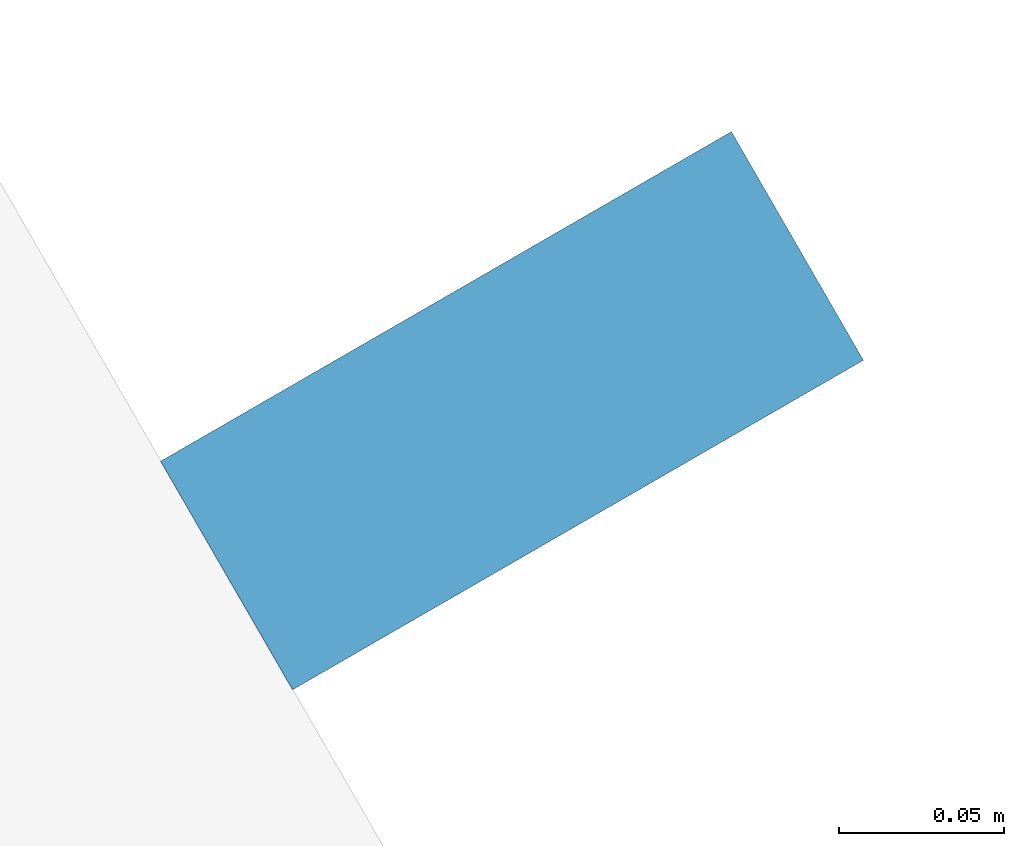
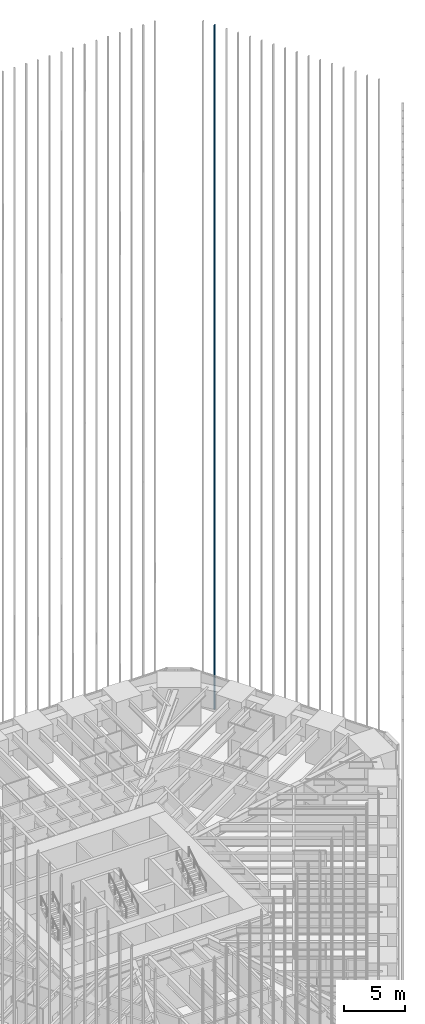
# One storey, part 243 of 256: 1 member, 1 element without a shape of its own.
"""IFC4 building model written with IfcOpenShell, lengths in metres."""

import ifcopenshell
import ifcopenshell.guid

model = None  # the IFC model being written
_history = None  # IfcOwnerHistory: only IFC2X3 demands one
_inside = {}  # id of a spatial element -> (the spatial element, [elements in it])
_under = {}  # id of a project, library or spatial element -> (it, [spatial elements below it])
_declared = {}  # id of a project -> (the project, [libraries it declares])
_typed = {}  # id of a type object -> (the type object, [elements of that type])
_made_of = {}  # id of a material, layer set ... -> (it, [elements and type objects made of it])


def new_model(schema):
    """Start an empty IFC model of exactly this schema.

    Asked for "IFC4X3", IfcOpenShell would pick the latest addendum, in which some entities
    have other attributes; the version numbers below select the first issue.
    IFC2X3 requires an IfcOwnerHistory on every rooted entity: one is made here for all.
    """
    global model, _history
    if schema == "IFC4X3":
        model = ifcopenshell.file(schema_version=(4, 3, 0, 0))
    else:
        model = ifcopenshell.file(schema=schema)
    _inside.clear()
    _under.clear()
    _declared.clear()
    _typed.clear()
    _made_of.clear()
    _history = None
    if model.schema == "IFC2X3":
        org = make("IfcOrganization", Name="unknown")
        user = make(
            "IfcPersonAndOrganization",
            ThePerson=make("IfcPerson", FamilyName="unknown"),
            TheOrganization=org,
        )
        app = make(
            "IfcApplication",
            ApplicationDeveloper=org,
            Version="unknown",
            ApplicationFullName="unknown",
            ApplicationIdentifier="unknown",
        )
        _history = make(
            "IfcOwnerHistory",
            OwningUser=user,
            OwningApplication=app,
            ChangeAction="ADDED",
            CreationDate=0,
        )
    return model


def make(cls, **values):
    """One entity of the class cls with the attributes given. An attribute that is None is left unset."""
    return model.create_entity(
        cls, **{name: value for name, value in values.items() if value is not None}
    )


def rooted(cls, **values):
    """An entity with a GlobalId (a new one), such as an element, a storey or a relation."""
    return make(cls, GlobalId=ifcopenshell.guid.new(), OwnerHistory=_history, **values)


def si_unit(unit_type, name, prefix=None):
    """IfcSIUnit, for example si_unit("LENGTHUNIT", "METRE", prefix="MILLI")."""
    return make("IfcSIUnit", UnitType=unit_type, Prefix=prefix, Name=name)


def assignment(units):
    """IfcUnitAssignment: the units of a project."""
    return None if units is None else make("IfcUnitAssignment", Units=units)


def point(xyz):
    """IfcCartesianPoint."""
    return None if xyz is None else make("IfcCartesianPoint", Coordinates=xyz)


def direction(xyz):
    """IfcDirection."""
    return None if xyz is None else make("IfcDirection", DirectionRatios=xyz)


def frame(location, z_axis=None, x_axis=None):
    """IfcAxis2Placement3D, a coordinate frame: its origin and axes. An axis left out is left unset."""
    return make(
        "IfcAxis2Placement3D",
        Location=point(location),
        Axis=direction(z_axis),
        RefDirection=direction(x_axis),
    )


def frame_2d(location, x_axis=None):
    """IfcAxis2Placement2D, a coordinate frame in the plane: its origin and x axis."""
    return make(
        "IfcAxis2Placement2D", Location=point(location), RefDirection=direction(x_axis)
    )


def origin():
    """The frame at (0, 0, 0) with its axes left unset."""
    return frame((0.0, 0.0, 0.0))


def origin_2d():
    """The frame at (0, 0) in the plane with its x axis left unset."""
    return frame_2d((0.0, 0.0))


def place(relative_to, where):
    """IfcLocalPlacement: puts the frame where relative to a parent placement (None: the world)."""
    return make(
        "IfcLocalPlacement", PlacementRelTo=relative_to, RelativePlacement=where
    )


def context(
    kind, dimensions, precision=None, world=None, true_north=None, identifier=None
):
    """IfcGeometricRepresentationContext, for example the 3D "Model" context."""
    return make(
        "IfcGeometricRepresentationContext",
        ContextIdentifier=identifier,
        ContextType=kind,
        CoordinateSpaceDimension=dimensions,
        Precision=precision,
        WorldCoordinateSystem=world,
        TrueNorth=true_north,
    )


def subcontext(parent, identifier, kind, view, scale=None):
    """IfcGeometricRepresentationSubContext, for example "Body" below "Model"."""
    return make(
        "IfcGeometricRepresentationSubContext",
        ContextIdentifier=identifier,
        ContextType=kind,
        ParentContext=parent,
        TargetScale=scale,
        TargetView=view,
    )


def project(units=None, contexts=None):
    """IfcProject with its units and contexts."""
    return rooted(
        "IfcProject",
        Name="project",
        RepresentationContexts=contexts,
        UnitsInContext=assignment(units),
    )


def spatial(cls, under=None, at=None, **own):
    """A site, building, storey or space (cls), placed at a placement, below another one or the project."""
    s = rooted(cls, ObjectPlacement=at, **own)
    if under is not None:
        _under.setdefault(under.id(), (under, []))[1].append(s)
    return s


def profile(cls, at=None, kind="AREA", **sizes):
    """A parametric profile (cls). Its sizes go by their IFC names, for example OverallWidth=200.0."""
    return make(cls, ProfileType=kind, Position=at, **sizes)


def rectangle(**sizes):
    """IfcRectangleProfileDef."""
    return profile("IfcRectangleProfileDef", **sizes)


def extrude(swept, where, along, depth):
    """IfcExtrudedAreaSolid: the profile swept, set in the frame where, extruded along a direction by depth."""
    return make(
        "IfcExtrudedAreaSolid",
        SweptArea=swept,
        Position=where,
        ExtrudedDirection=direction(along),
        Depth=depth,
    )


def shape(context_of_items, identifier, shape_type, items):
    """IfcShapeRepresentation: the items that make up one representation, for example the "Body"."""
    return make(
        "IfcShapeRepresentation",
        ContextOfItems=context_of_items,
        RepresentationIdentifier=identifier,
        RepresentationType=shape_type,
        Items=items,
    )


def material(Name=None, Category=None):
    """IfcMaterial."""
    return make("IfcMaterial", Name=Name, Category=Category)


def material_profile(
    of_material, cross_section, Name=None, Category=None, Priority=None
):
    """IfcMaterialProfile: a cross section and its material."""
    return make(
        "IfcMaterialProfile",
        Name=Name,
        Material=of_material,
        Profile=cross_section,
        Priority=Priority,
        Category=Category,
    )


def profile_set(profiles, Name=None, composite=None):
    """IfcMaterialProfileSet."""
    return make(
        "IfcMaterialProfileSet",
        Name=Name,
        MaterialProfiles=profiles,
        CompositeProfile=composite,
    )


def made_of(thing, what):
    """Note that an element or type object is made of a material, layer set ...; save() writes the relation."""
    if what is not None:
        _made_of.setdefault(what.id(), (what, []))[1].append(thing)
    return thing


def type_object(cls, material=None, **own):
    """A type object (cls), such as IfcWallType, which elements share."""
    return made_of(rooted(cls, **own), material)


def element(
    cls,
    number,
    at=None,
    inside=None,
    cuts=None,
    type_object=None,
    material=None,
    context=None,
    identifier="Body",
    shape_type=None,
    held_by="IfcProductDefinitionShape",
    body=None,
    shapes=None,
    **own,
):
    """One element of the class cls, such as IfcWall. Its Tag is "e" and its number.

    at: its placement. inside: the storey or other place that contains it. cuts: it is an
    opening in that element (IfcRelVoidsElement). A single representation is given by context,
    identifier, shape_type and body (its items); several are given by shapes. held_by: the class
    of the entity that holds the representations. save() writes the other relations.
    """
    e = rooted(cls, Tag="e%d" % number, ObjectPlacement=at, **own)
    if body is not None:
        shapes = [shape(context, identifier, shape_type, body)]
    if shapes is not None:
        e.Representation = make(held_by, Representations=shapes)
    if inside is not None:
        _inside.setdefault(inside.id(), (inside, []))[1].append(e)
    if cuts is not None:
        rooted(
            "IfcRelVoidsElement", RelatingBuildingElement=cuts, RelatedOpeningElement=e
        )
    if type_object is not None:
        _typed.setdefault(type_object.id(), (type_object, []))[1].append(e)
    return made_of(e, material)


def aggregate(whole, parts):
    """IfcRelAggregates: a whole, such as a stair, and the parts it consists of."""
    return rooted("IfcRelAggregates", RelatingObject=whole, RelatedObjects=parts)


def save(model, path):
    """Write the relations noted so far, then the file.

    IfcRelAggregates (storeys below a building ...), IfcRelContainedInSpatialStructure (elements
    in a storey), IfcRelDefinesByType, IfcRelAssociatesMaterial and IfcRelDeclares: one each for
    every whole, place, type object, material and project.
    """
    for whole, parts in _under.values():
        aggregate(whole, parts)
    for where, things in _inside.values():
        rooted(
            "IfcRelContainedInSpatialStructure",
            RelatedElements=things,
            RelatingStructure=where,
        )
    for kind, things in _typed.values():
        rooted("IfcRelDefinesByType", RelatedObjects=things, RelatingType=kind)
    for what, things in _made_of.values():
        rooted("IfcRelAssociatesMaterial", RelatedObjects=things, RelatingMaterial=what)
    for by, libraries in _declared.values():
        rooted("IfcRelDeclares", RelatingContext=by, RelatedDefinitions=libraries)
    model.write(path)


model = new_model("IFC4")

# Units and contexts
model_context = context("Model", 3, precision=1e-05, world=origin(), true_north=direction((0.0, 1.0)))
body_context = subcontext(model_context, "Body", "Model", "MODEL_VIEW")
ifc_project = project(units=[si_unit("LENGTHUNIT", "METRE"), si_unit("AREAUNIT", "SQUARE_METRE"), si_unit("VOLUMEUNIT", "CUBIC_METRE"), si_unit("PLANEANGLEUNIT", "RADIAN"), si_unit("MASSUNIT", "GRAM", prefix="KILO")], contexts=[model_context])

# Site, building, storey
site_placement = place(None, origin())
site = spatial("IfcSite", under=ifc_project, at=site_placement, CompositionType="ELEMENT")
building_placement = place(site_placement, origin())
building = spatial("IfcBuilding", under=site, at=building_placement, Name="Sandreach Pilgrim Tower", CompositionType="ELEMENT")
storey_placement = place(building_placement, frame((0.0, 0.0, 23.0)))
storey = spatial("IfcBuildingStorey", under=building, at=storey_placement, Name="L04", CompositionType="ELEMENT", Elevation=23.0)

# Curtain wall, member
ifc_material_1 = material(Name="Aluminium framed curtain wall", Category="aluminium")
curtain_wall_type = type_object("IfcCurtainWallType", Name="Hostel tower curtain wall", PredefinedType="NOTDEFINED", material=ifc_material_1)
curtain_wall_placement = place(storey_placement, origin())
curtain_wall = element("IfcCurtainWall", 1, at=curtain_wall_placement, inside=storey, type_object=curtain_wall_type, Name="CW-1 L04 NE", PredefinedType="NOTDEFINED")
ifc_material_2 = material(Name="Extruded terracotta on aluminium core", Category="masonry")
ifc_material_profile = material_profile(ifc_material_2, rectangle(XDim=0.080078125, YDim=0.199951171875, at=origin_2d()), Name="TBE 80X200")
ifc_profile_set = profile_set([ifc_material_profile], Name="Extruded terracotta on aluminium core")
member_type = type_object("IfcMemberType", Name="Terracotta baguette east", PredefinedType="USERDEFINED", material=ifc_profile_set)
member_placement = place(storey_placement, frame((22.7412109375, 21.4326171875, 0.0), z_axis=(0.0, 0.0, 1.0), x_axis=(0.5, -0.866025403784, 0.0)))
member = element("IfcMember", 2, at=member_placement, type_object=member_type, Name="Baguette Z1 NE02", ObjectType="BAGUETTE", PredefinedType="USERDEFINED", context=body_context, shape_type="SweptSolid", body=[
    extrude(rectangle(XDim=0.080078125, YDim=0.199951171875, at=origin_2d()), origin(), (0.0, 0.0, 1.0), 68.239990234375),
])
aggregate(curtain_wall, [member])

save(model, "model.ifc")
